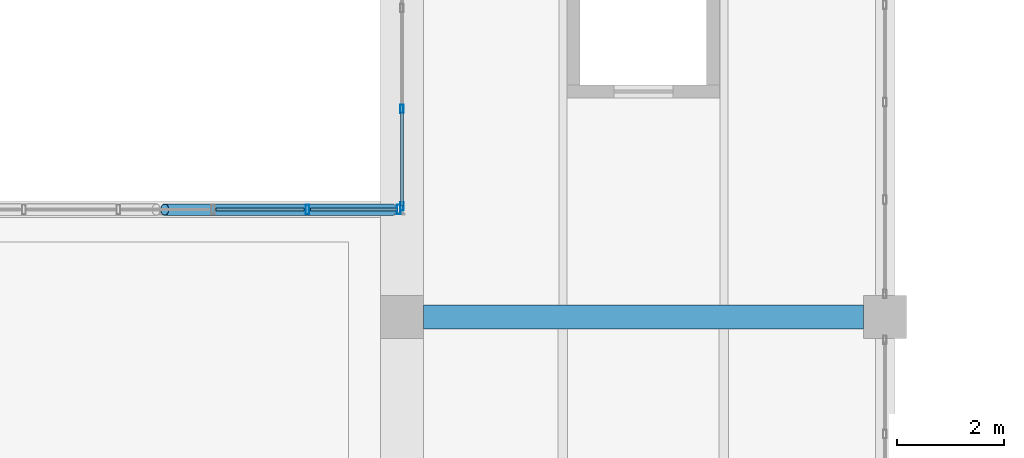
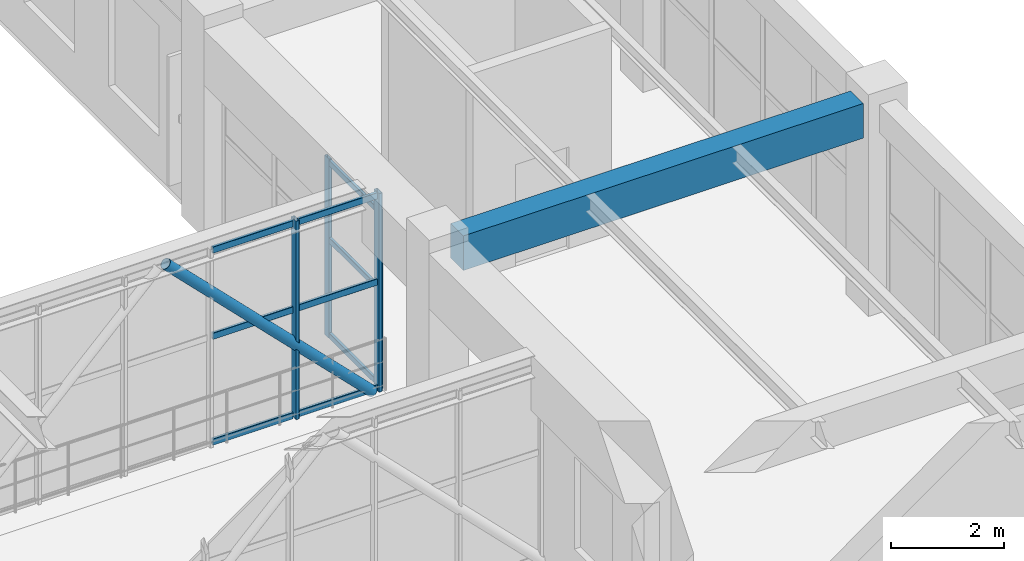
# One storey, part 67 of 178: 14 members, 1 beam, 2 elements without a shape of their own.
"""IFC4 building model written with IfcOpenShell, lengths in metres."""

from ifc_helpers import new_model, si_unit, derived_unit, direction, frame, origin, origin_2d, place, context, subcontext, project, spatial, rectangle, hollow_rectangle, hollow_circle, extrude, material, material_profile, profile_set, type_object, element, aggregate, save


model = new_model("IFC4")

# Units and contexts
model_context = context("Model", 3, precision=1e-05, world=origin(), true_north=direction((0.0, 1.0)))
body_context = subcontext(model_context, "Body", "Model", "MODEL_VIEW")
ifc_project = project(units=[si_unit("LENGTHUNIT", "METRE"), si_unit("AREAUNIT", "SQUARE_METRE"), si_unit("VOLUMEUNIT", "CUBIC_METRE"), si_unit("PLANEANGLEUNIT", "RADIAN"), si_unit("MASSUNIT", "GRAM", prefix="KILO"), derived_unit("THERMALTRANSMITTANCEUNIT", [(si_unit("MASSUNIT", "GRAM", prefix="KILO"), 1), (si_unit("TIMEUNIT", "SECOND"), -3), (si_unit("THERMODYNAMICTEMPERATUREUNIT", "KELVIN"), -1)])], contexts=[model_context])

# Site, building, storey
site_placement = place(None, origin())
site = spatial("IfcSite", under=ifc_project, at=site_placement, CompositionType="ELEMENT")
building_placement = place(site_placement, origin())
building = spatial("IfcBuilding", under=site, at=building_placement, Name="Zhenchuan Archway Interchange", CompositionType="ELEMENT")
storey_placement = place(building_placement, frame((0.0, 0.0, 5.39990234375)))
storey = spatial("IfcBuildingStorey", under=building, at=storey_placement, Name="L01", CompositionType="ELEMENT", Elevation=5.39990234375)

# Beam
ifc_material_1 = material(Name="Concrete C40", Category="concrete")
ifc_material_profile_1 = material_profile(ifc_material_1, rectangle(XDim=0.449951171875, YDim=0.75, at=origin_2d()), Name="RC 450x750")
ifc_profile_set_1 = profile_set([ifc_material_profile_1], Name="Concrete C40")
beam_type = type_object("IfcBeamType", Name="BM_RC_450x750", PredefinedType="BEAM", material=ifc_profile_set_1)
beam_placement = place(storey_placement, frame((99.39990234375, 56.0, 4.135009765625), z_axis=(1.0, 0.0, 0.0), x_axis=(0.0, 1.0, 0.0)))
element("IfcBeam", 1, at=beam_placement, inside=storey, type_object=beam_type, Name="Beam H:12-13 (L01)", PredefinedType="BEAM", context=body_context, shape_type="SweptSolid", body=[
    extrude(rectangle(XDim=0.449951171875, YDim=0.75, at=origin_2d()), origin(), (0.0, 0.0, 1.0), 8.2001953125),
])

# Curtain wall, members
ifc_material_2 = material(Name="Anodised Aluminium", Category="aluminium")
curtain_wall_type_1 = type_object("IfcCurtainWallType", Name="CW_UNIT_3", PredefinedType="NOTDEFINED", material=ifc_material_2)
curtain_wall_1_placement = place(storey_placement, origin())
curtain_wall_1 = element("IfcCurtainWall", 2, at=curtain_wall_1_placement, inside=storey, type_object=curtain_wall_type_1, Name="Unitised curtain wall CW:L01:058", PredefinedType="NOTDEFINED")
ifc_material_profile_2 = material_profile(ifc_material_2, hollow_rectangle(XDim=0.06005859375, YDim=0.159912109375, WallThickness=0.00390625, InnerFilletRadius=0.00390625, OuterFilletRadius=0.008056640625, at=origin_2d()), Name="ALU 160x60x4")
ifc_profile_set_2 = profile_set([ifc_material_profile_2], Name="Anodised Aluminium")
member_type_1 = type_object("IfcMemberType", Name="CW_MUL_150", PredefinedType="MULLION", material=ifc_profile_set_2)
member_1_placement = place(storey_placement, frame((99.0, 58.06005859375, 0.0), z_axis=(0.0, 0.0, 1.0), x_axis=(1.0, 0.0, 0.0)))
member_1 = element("IfcMember", 3, at=member_1_placement, type_object=member_type_1, Name="CW:L01:058 mullion 0", PredefinedType="MULLION", context=body_context, shape_type="SweptSolid", body=[
    extrude(hollow_rectangle(XDim=0.06005859375, YDim=0.159912109375, WallThickness=0.00390625, InnerFilletRadius=0.00390625, OuterFilletRadius=0.008056640625, at=origin_2d()), origin(), (0.0, 0.0, 1.0), 3.880126953125),
])
member_2_placement = place(storey_placement, frame((99.0, 59.877197265625, 0.0), z_axis=(0.0, 0.0, 1.0), x_axis=(1.0, 0.0, 0.0)))
member_2 = element("IfcMember", 4, at=member_2_placement, type_object=member_type_1, Name="CW:L01:058 mullion 1", PredefinedType="MULLION", context=body_context, shape_type="SweptSolid", body=[
    extrude(hollow_rectangle(XDim=0.06005859375, YDim=0.159912109375, WallThickness=0.00390625, InnerFilletRadius=0.00390625, OuterFilletRadius=0.008056640625, at=origin_2d()), origin(), (0.0, 0.0, 1.0), 3.880126953125),
])

curtain_wall_type_2 = type_object("IfcCurtainWallType", Name="CW_UNIT_2", PredefinedType="NOTDEFINED", material=ifc_material_2)
curtain_wall_2_placement = place(storey_placement, origin())
curtain_wall_2 = element("IfcCurtainWall", 5, at=curtain_wall_2_placement, inside=storey, type_object=curtain_wall_type_2, Name="Unitised curtain wall CW:L01:057", PredefinedType="NOTDEFINED")
ifc_material_profile_3 = material_profile(ifc_material_2, hollow_rectangle(XDim=0.070068359375, YDim=0.179931640625, WallThickness=0.00390625, InnerFilletRadius=0.00390625, OuterFilletRadius=0.008056640625, at=origin_2d()), Name="ALU 180x70x4")
ifc_profile_set_3 = profile_set([ifc_material_profile_3], Name="Anodised Aluminium")
member_type_2 = type_object("IfcMemberType", Name="CW_MUL_180", PredefinedType="MULLION", material=ifc_profile_set_3)
member_3_placement = place(storey_placement, frame((97.239013671875, 58.0, 0.0), z_axis=(0.0, 0.0, 1.0), x_axis=(1.0, 0.0, 0.0)))
member_3 = element("IfcMember", 6, at=member_3_placement, type_object=member_type_2, Name="CW:L01:057 mullion 4", PredefinedType="MULLION", context=body_context, shape_type="SweptSolid", body=[
    extrude(hollow_rectangle(XDim=0.070068359375, YDim=0.179931640625, WallThickness=0.00390625, InnerFilletRadius=0.00390625, OuterFilletRadius=0.008056640625, at=origin_2d()), origin(), (0.0, 0.0, 1.0), 4.300048828125),
])
member_4_placement = place(storey_placement, frame((98.93994140625, 58.0, 0.0), z_axis=(0.0, 0.0, 1.0), x_axis=(1.0, 0.0, 0.0)))
member_4 = element("IfcMember", 7, at=member_4_placement, type_object=member_type_2, Name="CW:L01:057 mullion 5", PredefinedType="MULLION", context=body_context, shape_type="SweptSolid", body=[
    extrude(hollow_rectangle(XDim=0.070068359375, YDim=0.179931640625, WallThickness=0.00390625, InnerFilletRadius=0.00390625, OuterFilletRadius=0.008056640625, at=origin_2d()), origin(), (0.0, 0.0, 1.0), 4.300048828125),
])

# Member
ifc_material_profile_4 = material_profile(ifc_material_2, hollow_rectangle(XDim=0.06005859375, YDim=0.1201171875, WallThickness=0.00341796875, InnerFilletRadius=0.00341796875, OuterFilletRadius=0.007080078125, at=origin_2d()), Name="ALU 120x60x3.5")
ifc_profile_set_4 = profile_set([ifc_material_profile_4], Name="Anodised Aluminium")
member_type_3 = type_object("IfcMemberType", Name="CW_TRN_120", PredefinedType="USERDEFINED", material=ifc_profile_set_4)
member_5_placement = place(storey_placement, frame((99.0, 58.080078125, 0.06005859375), z_axis=(0.0, 1.0, 0.0), x_axis=(-1.0, 0.0, 0.0)))
member_5 = element("IfcMember", 8, at=member_5_placement, type_object=member_type_3, Name="CW:L01:058 transom 0-1", ObjectType="TRANSOM", PredefinedType="USERDEFINED", context=body_context, shape_type="SweptSolid", body=[
    extrude(hollow_rectangle(XDim=0.06005859375, YDim=0.1201171875, WallThickness=0.00341796875, InnerFilletRadius=0.00341796875, OuterFilletRadius=0.007080078125, at=origin_2d()), origin(), (0.0, 0.0, 1.0), 1.7373046875),
])

member_6_placement = place(storey_placement, frame((99.0, 58.080078125, 2.123046875), z_axis=(0.0, 1.0, 0.0), x_axis=(-1.0, 0.0, 0.0)))
member_6 = element("IfcMember", 9, at=member_6_placement, type_object=member_type_3, Name="CW:L01:058 transom 0-2", ObjectType="TRANSOM", PredefinedType="USERDEFINED", context=body_context, shape_type="SweptSolid", body=[
    extrude(hollow_rectangle(XDim=0.06005859375, YDim=0.1201171875, WallThickness=0.00341796875, InnerFilletRadius=0.00341796875, OuterFilletRadius=0.007080078125, at=origin_2d()), origin(), (0.0, 0.0, 1.0), 1.7373046875),
])

member_7_placement = place(storey_placement, frame((99.0, 58.080078125, 3.800048828125), z_axis=(0.0, 1.0, 0.0), x_axis=(-1.0, 0.0, 0.0)))
member_7 = element("IfcMember", 10, at=member_7_placement, type_object=member_type_3, Name="CW:L01:058 transom 0-3", ObjectType="TRANSOM", PredefinedType="USERDEFINED", context=body_context, shape_type="SweptSolid", body=[
    extrude(hollow_rectangle(XDim=0.06005859375, YDim=0.1201171875, WallThickness=0.00341796875, InnerFilletRadius=0.00341796875, OuterFilletRadius=0.007080078125, at=origin_2d()), origin(), (0.0, 0.0, 1.0), 1.7373046875),
])

aggregate(curtain_wall_1, [member_1, member_2, member_5, member_6, member_7])

ifc_material_profile_5 = material_profile(ifc_material_2, hollow_rectangle(XDim=0.06005859375, YDim=0.139892578125, WallThickness=0.00341796875, InnerFilletRadius=0.00341796875, OuterFilletRadius=0.007080078125, at=origin_2d()), Name="ALU 140x60x3.5")
ifc_profile_set_5 = profile_set([ifc_material_profile_5], Name="Anodised Aluminium")
member_type_4 = type_object("IfcMemberType", Name="CW_TRN_140", PredefinedType="USERDEFINED", material=ifc_profile_set_5)
member_8_placement = place(storey_placement, frame((95.5380859375, 58.0, 0.06005859375), z_axis=(1.0, 0.0, 0.0), x_axis=(0.0, 1.0, 0.0)))
member_8 = element("IfcMember", 11, at=member_8_placement, type_object=member_type_4, Name="CW:L01:057 transom 3-1", ObjectType="TRANSOM", PredefinedType="USERDEFINED", context=body_context, shape_type="SweptSolid", body=[
    extrude(hollow_rectangle(XDim=0.06005859375, YDim=0.139892578125, WallThickness=0.00341796875, InnerFilletRadius=0.00341796875, OuterFilletRadius=0.007080078125, at=origin_2d()), origin(), (0.0, 0.0, 1.0), 1.64111328125),
])

member_9_placement = place(storey_placement, frame((95.5380859375, 58.0, 2.35400390625), z_axis=(1.0, 0.0, 0.0), x_axis=(0.0, 1.0, 0.0)))
member_9 = element("IfcMember", 12, at=member_9_placement, type_object=member_type_4, Name="CW:L01:057 transom 3-2", ObjectType="TRANSOM", PredefinedType="USERDEFINED", context=body_context, shape_type="SweptSolid", body=[
    extrude(hollow_rectangle(XDim=0.06005859375, YDim=0.139892578125, WallThickness=0.00341796875, InnerFilletRadius=0.00341796875, OuterFilletRadius=0.007080078125, at=origin_2d()), origin(), (0.0, 0.0, 1.0), 1.64111328125),
])

member_10_placement = place(storey_placement, frame((95.5380859375, 58.0, 4.22021484375), z_axis=(1.0, 0.0, 0.0), x_axis=(0.0, 1.0, 0.0)))
member_10 = element("IfcMember", 13, at=member_10_placement, type_object=member_type_4, Name="CW:L01:057 transom 3-3", ObjectType="TRANSOM", PredefinedType="USERDEFINED", context=body_context, shape_type="SweptSolid", body=[
    extrude(hollow_rectangle(XDim=0.06005859375, YDim=0.139892578125, WallThickness=0.00341796875, InnerFilletRadius=0.00341796875, OuterFilletRadius=0.007080078125, at=origin_2d()), origin(), (0.0, 0.0, 1.0), 1.64111328125),
])

member_11_placement = place(storey_placement, frame((97.299072265625, 58.0, 0.06005859375), z_axis=(1.0, 0.0, 0.0), x_axis=(0.0, 1.0, 0.0)))
member_11 = element("IfcMember", 14, at=member_11_placement, type_object=member_type_4, Name="CW:L01:057 transom 4-1", ObjectType="TRANSOM", PredefinedType="USERDEFINED", context=body_context, shape_type="SweptSolid", body=[
    extrude(hollow_rectangle(XDim=0.06005859375, YDim=0.139892578125, WallThickness=0.00341796875, InnerFilletRadius=0.00341796875, OuterFilletRadius=0.007080078125, at=origin_2d()), origin(), (0.0, 0.0, 1.0), 1.620849609375),
])

member_12_placement = place(storey_placement, frame((97.299072265625, 58.0, 2.35400390625), z_axis=(1.0, 0.0, 0.0), x_axis=(0.0, 1.0, 0.0)))
member_12 = element("IfcMember", 15, at=member_12_placement, type_object=member_type_4, Name="CW:L01:057 transom 4-2", ObjectType="TRANSOM", PredefinedType="USERDEFINED", context=body_context, shape_type="SweptSolid", body=[
    extrude(hollow_rectangle(XDim=0.06005859375, YDim=0.139892578125, WallThickness=0.00341796875, InnerFilletRadius=0.00341796875, OuterFilletRadius=0.007080078125, at=origin_2d()), origin(), (0.0, 0.0, 1.0), 1.620849609375),
])

member_13_placement = place(storey_placement, frame((97.299072265625, 58.0, 4.22021484375), z_axis=(1.0, 0.0, 0.0), x_axis=(0.0, 1.0, 0.0)))
member_13 = element("IfcMember", 16, at=member_13_placement, type_object=member_type_4, Name="CW:L01:057 transom 4-3", ObjectType="TRANSOM", PredefinedType="USERDEFINED", context=body_context, shape_type="SweptSolid", body=[
    extrude(hollow_rectangle(XDim=0.06005859375, YDim=0.139892578125, WallThickness=0.00341796875, InnerFilletRadius=0.00341796875, OuterFilletRadius=0.007080078125, at=origin_2d()), origin(), (0.0, 0.0, 1.0), 1.620849609375),
])

aggregate(curtain_wall_2, [member_3, member_4, member_8, member_9, member_10, member_11, member_12, member_13])

ifc_material_3 = material(Name="Steel Q355", Category="steel")
ifc_material_profile_6 = material_profile(ifc_material_3, hollow_circle(Radius=0.109619140625, WallThickness=0.008056640625, at=origin_2d()), Name="CHS 219x8")
ifc_profile_set_6 = profile_set([ifc_material_profile_6], Name="Steel Q355")
member_type_5 = type_object("IfcMemberType", Name="MB_CHS219", PredefinedType="BRACE", material=ifc_profile_set_6)
member_14_placement = place(storey_placement, frame((98.820068359375, 58.0, 0.0), z_axis=(-0.706272605819, 0.0, 0.707939973634), x_axis=(0.0, -1.0, 0.0)))
element("IfcMember", 17, at=member_14_placement, inside=storey, type_object=member_type_5, Name="Footbridge truss diagonal E-NR", PredefinedType="BRACE", context=body_context, shape_type="SweptSolid", body=[
    extrude(hollow_circle(Radius=0.109619140625, WallThickness=0.008056640625, at=origin_2d()), origin(), (0.0, 0.0, 1.0), 6.00341796875),
])

save(model, "model.ifc")
